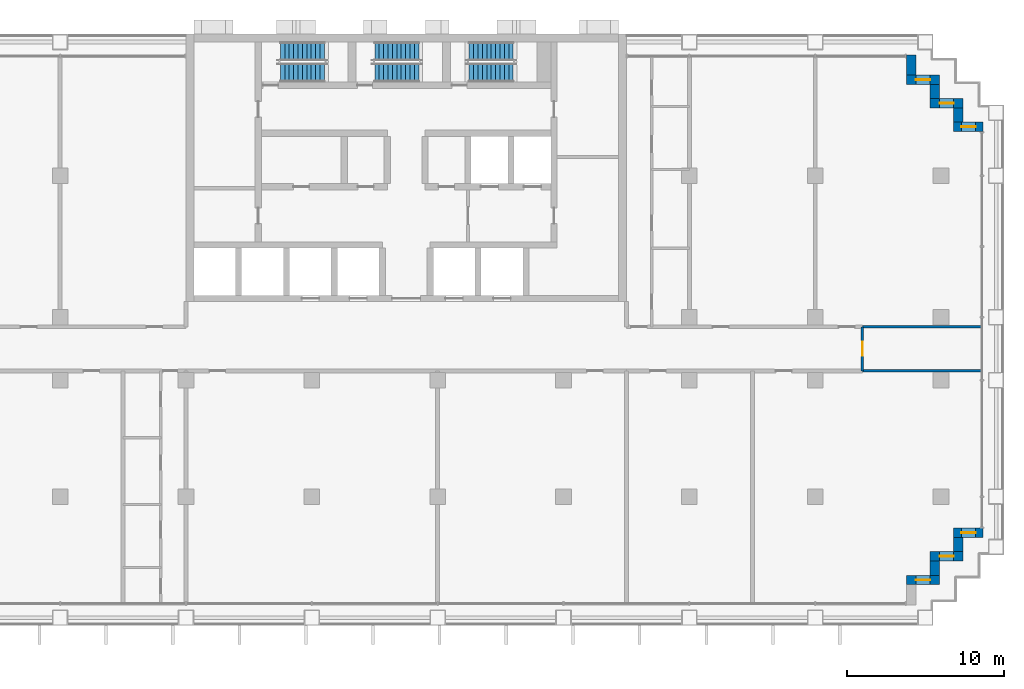
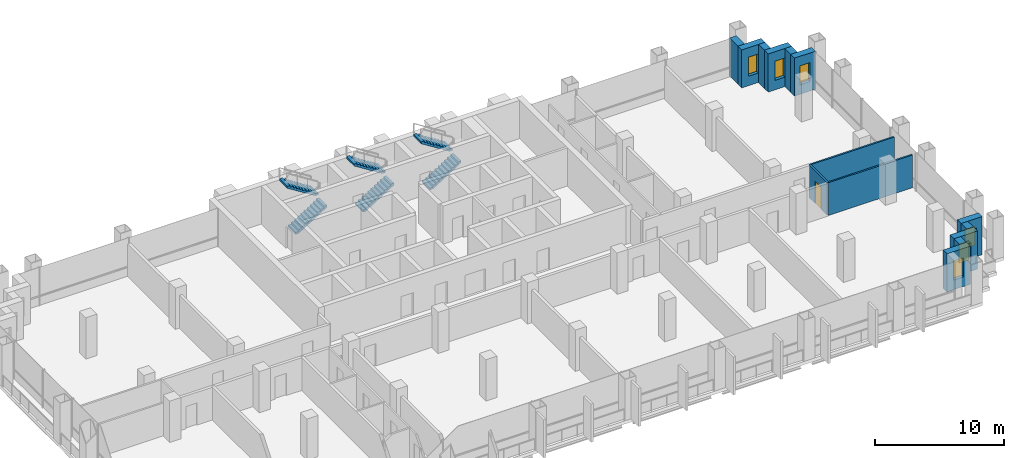
# One storey, part 10 of 13: 14 walls, 6 stair flights, 6 windows, 1 door, 7 openings, 3 elements without a shape of their own.
"""IFC4 building model written with IfcOpenShell, lengths in metres."""

from ifc_helpers import new_model, si_unit, direction, frame, frame_2d, origin, place, context, subcontext, project, spatial, polyline, rectangle, outline, extrude, material, layer, layer_set, type_object, element, fill, aggregate, save


model = new_model("IFC4")

# Units and contexts
model_context = context("Model", 3, precision=1e-05, world=origin(), true_north=direction((0.0, 1.0)))
body_context = subcontext(model_context, "Body", "Model", "MODEL_VIEW")
ifc_project = project(units=[si_unit("LENGTHUNIT", "METRE"), si_unit("AREAUNIT", "SQUARE_METRE"), si_unit("VOLUMEUNIT", "CUBIC_METRE"), si_unit("PLANEANGLEUNIT", "RADIAN"), si_unit("MASSUNIT", "GRAM", prefix="KILO")], contexts=[model_context])

# Site, building, storey
site_placement = place(None, origin())
site = spatial("IfcSite", under=ifc_project, at=site_placement, CompositionType="ELEMENT")
building_placement = place(site_placement, origin())
building = spatial("IfcBuilding", under=site, at=building_placement, Name="Vidyagriha Tower", CompositionType="ELEMENT")
storey_placement = place(building_placement, frame((0.0, 0.0, 29.89990234375)))
storey = spatial("IfcBuildingStorey", under=building, at=storey_placement, Name="L07", CompositionType="ELEMENT", Elevation=29.89990234375)

# Wall, opening, window
ifc_material_1 = material(Name="Precast concrete C40/50 with brick facing", Category="concrete")
ifc_layer_1 = layer(ifc_material_1, 0.60009765625)
ifc_layer_set_1 = layer_set([ifc_layer_1], Name="Precast concrete C40/50 with brick facing")
wall_type_1 = type_object("IfcWallType", Name="Brick-faced precast wall 600", PredefinedType="STANDARD", material=ifc_layer_set_1)
wall_1_placement = place(storey_placement, frame((36.679931640625, 14.10009765625, 0.0), z_axis=(0.0, 0.0, 1.0), x_axis=(-1.0, 0.0, 0.0)))
wall_1 = element("IfcWall", 1, at=wall_1_placement, inside=storey, type_object=wall_type_1, Name="Stepped corner wall L07 R01", PredefinedType="STANDARD", context=body_context, shape_type="SweptSolid", body=[
    extrude(rectangle(XDim=1.8798828125, YDim=0.60009765625, at=frame_2d((0.93994140625, 0.0))), origin(), (0.0, 0.0, 1.0), 3.60009765625),
])
opening_1_placement = place(wall_1_placement, frame((0.489990234375, 0.0, 0.89990234375)))
opening_1 = element("IfcOpeningElement", 2, at=opening_1_placement, cuts=wall_1, Name="Opening WN2", PredefinedType="OPENING", context=body_context, shape_type="SweptSolid", body=[
    extrude(rectangle(XDim=0.89990234375, YDim=1.800048828125, at=frame_2d((0.449951171875, 0.89990234375))), frame((0.0, 0.31005859375, 0.0), z_axis=(0.0, -1.0, 0.0), x_axis=(1.0, 0.0, 0.0)), (0.0, 0.0, 1.0), 0.6201171875),
])
ifc_material_2 = material(Name="Aluminium and glass window", Category="aluminium")
window_type = type_object("IfcWindowType", Name="Reveal window 900x1800", PartitioningType="NOTDEFINED", PredefinedType="WINDOW", material=ifc_material_2)
window_1_placement = place(opening_1_placement, origin())
window_1 = element("IfcWindow", 3, at=window_1_placement, inside=storey, type_object=window_type, Name="Reveal window L07 R01", OverallHeight=1.800048828125, OverallWidth=0.89990234375, PartitioningType="SINGLE_PANEL", PredefinedType="WINDOW", context=body_context, shape_type="SweptSolid", body=[
    extrude(rectangle(XDim=0.89990234375, YDim=1.800048828125, at=frame_2d((0.449951171875, 0.89990234375))), frame((0.0, 0.030029296875, 0.0), z_axis=(0.0, -1.0, 0.0), x_axis=(1.0, 0.0, 0.0)), (0.0, 0.0, 1.0), 0.06005859375),
])
fill(opening_1, window_1)

# Wall
wall_2_placement = place(storey_placement, frame((35.10009765625, 14.39990234375, 0.0), z_axis=(0.0, 0.0, 1.0), x_axis=(0.0, 1.0, 0.0)))
element("IfcWall", 4, at=wall_2_placement, inside=storey, type_object=wall_type_1, Name="Stepped corner wall L07 R02", PredefinedType="STANDARD", context=body_context, shape_type="SweptSolid", body=[
    extrude(rectangle(XDim=0.900146484375, YDim=0.60009765625, at=frame_2d((0.4501953125, 0.0))), origin(), (0.0, 0.0, 1.0), 3.60009765625),
])

# Wall, opening, window
wall_3_placement = place(storey_placement, frame((35.39990234375, 15.60009765625, 0.0), z_axis=(0.0, 0.0, 1.0), x_axis=(-1.0, 0.0, 0.0)))
wall_3 = element("IfcWall", 5, at=wall_3_placement, inside=storey, type_object=wall_type_1, Name="Stepped corner wall L07 R03", PredefinedType="STANDARD", context=body_context, shape_type="SweptSolid", body=[
    extrude(rectangle(XDim=2.099853515625, YDim=0.60009765625, at=frame_2d((1.0498046875, 0.0))), origin(), (0.0, 0.0, 1.0), 3.60009765625),
])
opening_2_placement = place(wall_3_placement, frame((0.60009765625, 0.0, 0.89990234375)))
opening_2 = element("IfcOpeningElement", 6, at=opening_2_placement, cuts=wall_3, Name="Opening WN2", PredefinedType="OPENING", context=body_context, shape_type="SweptSolid", body=[
    extrude(rectangle(XDim=0.89990234375, YDim=1.800048828125, at=frame_2d((0.449951171875, 0.89990234375))), frame((0.0, 0.31005859375, 0.0), z_axis=(0.0, -1.0, 0.0), x_axis=(1.0, 0.0, 0.0)), (0.0, 0.0, 1.0), 0.6201171875),
])
window_2_placement = place(opening_2_placement, origin())
window_2 = element("IfcWindow", 7, at=window_2_placement, inside=storey, type_object=window_type, Name="Reveal window L07 R03", OverallHeight=1.800048828125, OverallWidth=0.89990234375, PartitioningType="SINGLE_PANEL", PredefinedType="WINDOW", context=body_context, shape_type="SweptSolid", body=[
    extrude(rectangle(XDim=0.89990234375, YDim=1.800048828125, at=frame_2d((0.449951171875, 0.89990234375))), frame((0.0, 0.030029296875, 0.0), z_axis=(0.0, -1.0, 0.0), x_axis=(1.0, 0.0, 0.0)), (0.0, 0.0, 1.0), 0.06005859375),
])
fill(opening_2, window_2)

# Wall
wall_4_placement = place(storey_placement, frame((33.60009765625, 15.89990234375, 0.0), z_axis=(0.0, 0.0, 1.0), x_axis=(0.0, 1.0, 0.0)))
element("IfcWall", 8, at=wall_4_placement, inside=storey, type_object=wall_type_1, Name="Stepped corner wall L07 R04", PredefinedType="STANDARD", context=body_context, shape_type="SweptSolid", body=[
    extrude(rectangle(XDim=0.900146484375, YDim=0.60009765625, at=frame_2d((0.4501953125, 0.0))), origin(), (0.0, 0.0, 1.0), 3.60009765625),
])

# Wall, opening, window
wall_5_placement = place(storey_placement, frame((33.89990234375, 17.10009765625, 0.0), z_axis=(0.0, 0.0, 1.0), x_axis=(-1.0, 0.0, 0.0)))
wall_5 = element("IfcWall", 9, at=wall_5_placement, inside=storey, type_object=wall_type_1, Name="Stepped corner wall L07 R05", PredefinedType="STANDARD", context=body_context, shape_type="SweptSolid", body=[
    extrude(rectangle(XDim=2.099853515625, YDim=0.60009765625, at=frame_2d((1.0498046875, 0.0))), origin(), (0.0, 0.0, 1.0), 3.60009765625),
])
opening_3_placement = place(wall_5_placement, frame((0.60009765625, 0.0, 0.89990234375)))
opening_3 = element("IfcOpeningElement", 10, at=opening_3_placement, cuts=wall_5, Name="Opening WN2", PredefinedType="OPENING", context=body_context, shape_type="SweptSolid", body=[
    extrude(rectangle(XDim=0.89990234375, YDim=1.800048828125, at=frame_2d((0.449951171875, 0.89990234375))), frame((0.0, 0.31005859375, 0.0), z_axis=(0.0, -1.0, 0.0), x_axis=(1.0, 0.0, 0.0)), (0.0, 0.0, 1.0), 0.6201171875),
])
window_3_placement = place(opening_3_placement, origin())
window_3 = element("IfcWindow", 11, at=window_3_placement, inside=storey, type_object=window_type, Name="Reveal window L07 R05", OverallHeight=1.800048828125, OverallWidth=0.89990234375, PartitioningType="SINGLE_PANEL", PredefinedType="WINDOW", context=body_context, shape_type="SweptSolid", body=[
    extrude(rectangle(XDim=0.89990234375, YDim=1.800048828125, at=frame_2d((0.449951171875, 0.89990234375))), frame((0.0, 0.030029296875, 0.0), z_axis=(0.0, -1.0, 0.0), x_axis=(1.0, 0.0, 0.0)), (0.0, 0.0, 1.0), 0.06005859375),
])
fill(opening_3, window_3)

# Wall
wall_6_placement = place(storey_placement, frame((32.10009765625, 17.39990234375, 0.0), z_axis=(0.0, 0.0, 1.0), x_axis=(0.0, 1.0, 0.0)))
element("IfcWall", 12, at=wall_6_placement, inside=storey, type_object=wall_type_1, Name="Stepped corner wall L07 R06", PredefinedType="STANDARD", context=body_context, shape_type="SweptSolid", body=[
    extrude(rectangle(XDim=1.280029296875, YDim=0.60009765625, at=frame_2d((0.64013671875, 0.0))), origin(), (0.0, 0.0, 1.0), 3.60009765625),
])

# Wall, opening, window
wall_7_placement = place(storey_placement, frame((31.800048828125, -14.699951171875, 0.0)))
wall_7 = element("IfcWall", 13, at=wall_7_placement, inside=storey, type_object=wall_type_1, Name="Stepped corner wall L07 R25", PredefinedType="STANDARD", context=body_context, shape_type="SweptSolid", body=[
    extrude(rectangle(XDim=2.099853515625, YDim=0.60009765625, at=frame_2d((1.0498046875, 0.0))), origin(), (0.0, 0.0, 1.0), 3.60009765625),
])
opening_4_placement = place(wall_7_placement, frame((0.60009765625, 0.0, 0.89990234375)))
opening_4 = element("IfcOpeningElement", 14, at=opening_4_placement, cuts=wall_7, Name="Opening WN2", PredefinedType="OPENING", context=body_context, shape_type="SweptSolid", body=[
    extrude(rectangle(XDim=0.89990234375, YDim=1.800048828125, at=frame_2d((0.449951171875, 0.89990234375))), frame((0.0, 0.31005859375, 0.0), z_axis=(0.0, -1.0, 0.0), x_axis=(1.0, 0.0, 0.0)), (0.0, 0.0, 1.0), 0.6201171875),
])
window_4_placement = place(opening_4_placement, origin())
window_4 = element("IfcWindow", 15, at=window_4_placement, inside=storey, type_object=window_type, Name="Reveal window L07 R25", OverallHeight=1.800048828125, OverallWidth=0.89990234375, PartitioningType="SINGLE_PANEL", PredefinedType="WINDOW", context=body_context, shape_type="SweptSolid", body=[
    extrude(rectangle(XDim=0.89990234375, YDim=1.800048828125, at=frame_2d((0.449951171875, 0.89990234375))), frame((0.0, 0.030029296875, 0.0), z_axis=(0.0, -1.0, 0.0), x_axis=(1.0, 0.0, 0.0)), (0.0, 0.0, 1.0), 0.06005859375),
])
fill(opening_4, window_4)

# Wall
wall_8_placement = place(storey_placement, frame((33.60009765625, -14.39990234375, 0.0), z_axis=(0.0, 0.0, 1.0), x_axis=(0.0, 1.0, 0.0)))
element("IfcWall", 16, at=wall_8_placement, inside=storey, type_object=wall_type_1, Name="Stepped corner wall L07 R26", PredefinedType="STANDARD", context=body_context, shape_type="SweptSolid", body=[
    extrude(rectangle(XDim=0.89990234375, YDim=0.60009765625, at=frame_2d((0.449951171875, 0.0))), origin(), (0.0, 0.0, 1.0), 3.60009765625),
])

# Wall, opening, window
wall_9_placement = place(storey_placement, frame((33.300048828125, -13.199951171875, 0.0)))
wall_9 = element("IfcWall", 17, at=wall_9_placement, inside=storey, type_object=wall_type_1, Name="Stepped corner wall L07 R27", PredefinedType="STANDARD", context=body_context, shape_type="SweptSolid", body=[
    extrude(rectangle(XDim=2.099853515625, YDim=0.60009765625, at=frame_2d((1.0498046875, 0.0))), origin(), (0.0, 0.0, 1.0), 3.60009765625),
])
opening_5_placement = place(wall_9_placement, frame((0.60009765625, 0.0, 0.89990234375)))
opening_5 = element("IfcOpeningElement", 18, at=opening_5_placement, cuts=wall_9, Name="Opening WN2", PredefinedType="OPENING", context=body_context, shape_type="SweptSolid", body=[
    extrude(rectangle(XDim=0.89990234375, YDim=1.800048828125, at=frame_2d((0.449951171875, 0.89990234375))), frame((0.0, 0.31005859375, 0.0), z_axis=(0.0, -1.0, 0.0), x_axis=(1.0, 0.0, 0.0)), (0.0, 0.0, 1.0), 0.6201171875),
])
window_5_placement = place(opening_5_placement, origin())
window_5 = element("IfcWindow", 19, at=window_5_placement, inside=storey, type_object=window_type, Name="Reveal window L07 R27", OverallHeight=1.800048828125, OverallWidth=0.89990234375, PartitioningType="SINGLE_PANEL", PredefinedType="WINDOW", context=body_context, shape_type="SweptSolid", body=[
    extrude(rectangle(XDim=0.89990234375, YDim=1.800048828125, at=frame_2d((0.449951171875, 0.89990234375))), frame((0.0, 0.030029296875, 0.0), z_axis=(0.0, -1.0, 0.0), x_axis=(1.0, 0.0, 0.0)), (0.0, 0.0, 1.0), 0.06005859375),
])
fill(opening_5, window_5)

# Wall
wall_10_placement = place(storey_placement, frame((35.10009765625, -12.89990234375, 0.0), z_axis=(0.0, 0.0, 1.0), x_axis=(0.0, 1.0, 0.0)))
element("IfcWall", 20, at=wall_10_placement, inside=storey, type_object=wall_type_1, Name="Stepped corner wall L07 R28", PredefinedType="STANDARD", context=body_context, shape_type="SweptSolid", body=[
    extrude(rectangle(XDim=0.89990234375, YDim=0.60009765625, at=frame_2d((0.449951171875, 0.0))), origin(), (0.0, 0.0, 1.0), 3.60009765625),
])

# Wall, opening, window
wall_11_placement = place(storey_placement, frame((34.800048828125, -11.699951171875, 0.0)))
wall_11 = element("IfcWall", 21, at=wall_11_placement, inside=storey, type_object=wall_type_1, Name="Stepped corner wall L07 R29", PredefinedType="STANDARD", context=body_context, shape_type="SweptSolid", body=[
    extrude(rectangle(XDim=1.8798828125, YDim=0.60009765625, at=frame_2d((0.93994140625, 0.0))), origin(), (0.0, 0.0, 1.0), 3.60009765625),
])
opening_6_placement = place(wall_11_placement, frame((0.489990234375, 0.0, 0.89990234375)))
opening_6 = element("IfcOpeningElement", 22, at=opening_6_placement, cuts=wall_11, Name="Opening WN2", PredefinedType="OPENING", context=body_context, shape_type="SweptSolid", body=[
    extrude(rectangle(XDim=0.89990234375, YDim=1.800048828125, at=frame_2d((0.449951171875, 0.89990234375))), frame((0.0, 0.31005859375, 0.0), z_axis=(0.0, -1.0, 0.0), x_axis=(1.0, 0.0, 0.0)), (0.0, 0.0, 1.0), 0.6201171875),
])
window_6_placement = place(opening_6_placement, origin())
window_6 = element("IfcWindow", 23, at=window_6_placement, inside=storey, type_object=window_type, Name="Reveal window L07 R29", OverallHeight=1.800048828125, OverallWidth=0.89990234375, PartitioningType="SINGLE_PANEL", PredefinedType="WINDOW", context=body_context, shape_type="SweptSolid", body=[
    extrude(rectangle(XDim=0.89990234375, YDim=1.800048828125, at=frame_2d((0.449951171875, 0.89990234375))), frame((0.0, 0.030029296875, 0.0), z_axis=(0.0, -1.0, 0.0), x_axis=(1.0, 0.0, 0.0)), (0.0, 0.0, 1.0), 0.06005859375),
])
fill(opening_6, window_6)

# Wall
ifc_material_3 = material(Name="Gypsum board partition")
ifc_layer_2 = layer(ifc_material_3, 0.14990234375)
ifc_layer_set_2 = layer_set([ifc_layer_2], Name="Gypsum board partition")
wall_type_2 = type_object("IfcWallType", Name="Gypsum board partition 150", PredefinedType="PARTITIONING", material=ifc_layer_set_2)
wall_12_placement = place(storey_placement, frame((36.530029296875, -1.39990234375, 0.0), z_axis=(0.0, 0.0, 1.0), x_axis=(-1.0, 0.0, 0.0)))
element("IfcWall", 24, at=wall_12_placement, inside=storey, type_object=wall_type_2, Name="Wall all-L07-w025", PredefinedType="PARTITIONING", context=body_context, shape_type="SweptSolid", body=[
    extrude(rectangle(XDim=7.530029296875, YDim=0.14990234375, at=frame_2d((3.76513671875, 0.0))), origin(), (0.0, 0.0, 1.0), 3.10009765625),
])

# Wall, opening, door
wall_13_placement = place(storey_placement, frame((29.0, -1.39990234375, 0.0), z_axis=(0.0, 0.0, 1.0), x_axis=(0.0, 1.0, 0.0)))
wall_13 = element("IfcWall", 25, at=wall_13_placement, inside=storey, type_object=wall_type_2, Name="Wall all-L07-w026", PredefinedType="PARTITIONING", context=body_context, shape_type="SweptSolid", body=[
    extrude(rectangle(XDim=2.7998046875, YDim=0.14990234375, at=frame_2d((1.39990234375, 0.0))), origin(), (0.0, 0.0, 1.0), 3.10009765625),
])
opening_7_placement = place(wall_13_placement, frame((0.949951171875, 0.0, 0.0)))
opening_7 = element("IfcOpeningElement", 26, at=opening_7_placement, cuts=wall_13, Name="Opening D07-25", PredefinedType="OPENING", context=body_context, shape_type="SweptSolid", body=[
    extrude(rectangle(XDim=0.89990234375, YDim=2.10009765625, at=frame_2d((0.449951171875, 1.050048828125))), frame((0.0, 0.0849609375, 0.0), z_axis=(0.0, -1.0, 0.0), x_axis=(1.0, 0.0, 0.0)), (0.0, 0.0, 1.0), 0.169921875),
])
ifc_material_4 = material(Name="Timber door leaf", Category="wood")
door_type = type_object("IfcDoorType", Name="Room door 900x2100", OperationType="NOTDEFINED", PredefinedType="DOOR", material=ifc_material_4)
door_placement = place(opening_7_placement, origin())
door = element("IfcDoor", 27, at=door_placement, inside=storey, type_object=door_type, Name="Door D07-25", OperationType="SINGLE_SWING_RIGHT", OverallHeight=2.10009765625, OverallWidth=0.89990234375, PredefinedType="DOOR", context=body_context, shape_type="SweptSolid", body=[
    extrude(rectangle(XDim=0.89990234375, YDim=2.10009765625, at=frame_2d((0.449951171875, 1.050048828125))), frame((0.0, 0.02490234375, 0.0), z_axis=(0.0, -1.0, 0.0), x_axis=(1.0, 0.0, 0.0)), (0.0, 0.0, 1.0), 0.050048828125),
])
fill(opening_7, door)

# Wall
wall_14_placement = place(storey_placement, frame((29.0, 1.39990234375, 0.0)))
element("IfcWall", 28, at=wall_14_placement, inside=storey, type_object=wall_type_2, Name="Wall all-L07-w033", PredefinedType="PARTITIONING", context=body_context, shape_type="SweptSolid", body=[
    extrude(rectangle(XDim=7.530029296875, YDim=0.14990234375, at=frame_2d((3.76513671875, 0.0))), origin(), (0.0, 0.0, 1.0), 3.10009765625),
])

# Stair, stair flights
ifc_material_5 = material(Name="Concrete C40/50", Category="concrete")
stair_type = type_object("IfcStairType", Name="Exit stair, half-turn, precast flights", PredefinedType="HALF_TURN_STAIR", material=ifc_material_5)
stair_1_placement = place(storey_placement, origin())
stair_1 = element("IfcStair", 29, at=stair_1_placement, inside=storey, type_object=stair_type, Name="L07 Exit Stair ST1", PredefinedType="HALF_TURN_STAIR")
ifc_material_6 = material(Name="Precast concrete C40/50", Category="concrete")
stair_flight_type = type_object("IfcStairFlightType", Name="Exit stair flight 1200 mm, precast", PredefinedType="STRAIGHT", material=ifc_material_6)
stair_flight_1_placement = place(storey_placement, frame((-8.0, 17.550048828125, 0.0)))
stair_flight_1 = element("IfcStairFlight", 30, at=stair_flight_1_placement, type_object=stair_flight_type, Name="ST1 flight 1", NumberOfRisers=11, NumberOfTreads=10, PredefinedType="STRAIGHT", RiserHeight=0.177272727, TreadLength=0.28, context=body_context, shape_type="SweptSolid", body=[
    extrude(outline(polyline([(0.0, 0.0), (0.0, 0.17724609375), (0.280029296875, 0.17724609375), (0.280029296875, 0.3544921875), (0.56005859375, 0.3544921875), (0.56005859375, 0.53173828125), (0.840087890625, 0.53173828125), (0.840087890625, 0.708984375), (1.1201171875, 0.708984375), (1.1201171875, 0.886474609375), (1.39990234375, 0.886474609375), (1.39990234375, 1.063720703125), (1.679931640625, 1.063720703125), (1.679931640625, 1.240966796875), (1.9599609375, 1.240966796875), (1.9599609375, 1.418212890625), (2.239990234375, 1.418212890625), (2.239990234375, 1.595458984375), (2.52001953125, 1.595458984375), (2.52001953125, 1.772705078125), (2.800048828125, 1.772705078125), (2.800048828125, 1.949951171875), (2.800048828125, 1.59521484375), (0.2802734375, 0.0), (0.0, 0.0)])), frame((0.0, 0.60009765625, 0.0), z_axis=(0.0, -1.0, 0.0), x_axis=(1.0, 0.0, 0.0)), (0.0, 0.0, 1.0), 1.199951171875),
])
stair_flight_2_placement = place(storey_placement, frame((-5.199951171875, 18.89990234375, 1.9501953125), z_axis=(0.0, 0.0, 1.0), x_axis=(-1.0, 0.0, 0.0)))
stair_flight_2 = element("IfcStairFlight", 31, at=stair_flight_2_placement, type_object=stair_flight_type, Name="ST1 flight 2", NumberOfRisers=11, NumberOfTreads=10, PredefinedType="STRAIGHT", RiserHeight=0.177272727, TreadLength=0.28, context=body_context, shape_type="SweptSolid", body=[
    extrude(outline(polyline([(0.0, 0.0), (0.0, 0.17724609375), (0.280029296875, 0.17724609375), (0.280029296875, 0.3544921875), (0.56005859375, 0.3544921875), (0.56005859375, 0.53173828125), (0.840087890625, 0.53173828125), (0.840087890625, 0.708984375), (1.1201171875, 0.708984375), (1.1201171875, 0.886474609375), (1.39990234375, 0.886474609375), (1.39990234375, 1.063720703125), (1.679931640625, 1.063720703125), (1.679931640625, 1.240966796875), (1.9599609375, 1.240966796875), (1.9599609375, 1.418212890625), (2.239990234375, 1.418212890625), (2.239990234375, 1.595458984375), (2.52001953125, 1.595458984375), (2.52001953125, 1.772705078125), (2.800048828125, 1.772705078125), (2.800048828125, 1.949951171875), (2.800048828125, 1.59521484375), (0.2802734375, 0.0), (0.0, 0.0)])), frame((0.0, 0.60009765625, 0.0), z_axis=(0.0, -1.0, 0.0), x_axis=(1.0, 0.0, 0.0)), (0.0, 0.0, 1.0), 1.199951171875),
])
aggregate(stair_1, [stair_flight_1, stair_flight_2])

stair_2_placement = place(storey_placement, origin())
stair_2 = element("IfcStair", 32, at=stair_2_placement, inside=storey, type_object=stair_type, Name="L07 Exit Stair ST2", PredefinedType="HALF_TURN_STAIR")
stair_flight_3_placement = place(storey_placement, frame((-2.0, 17.550048828125, 0.0)))
stair_flight_3 = element("IfcStairFlight", 33, at=stair_flight_3_placement, type_object=stair_flight_type, Name="ST2 flight 1", NumberOfRisers=11, NumberOfTreads=10, PredefinedType="STRAIGHT", RiserHeight=0.177272727, TreadLength=0.28, context=body_context, shape_type="SweptSolid", body=[
    extrude(outline(polyline([(0.0, 0.0), (0.0, 0.17724609375), (0.280029296875, 0.17724609375), (0.280029296875, 0.3544921875), (0.56005859375, 0.3544921875), (0.56005859375, 0.53173828125), (0.840087890625, 0.53173828125), (0.840087890625, 0.708984375), (1.1201171875, 0.708984375), (1.1201171875, 0.886474609375), (1.39990234375, 0.886474609375), (1.39990234375, 1.063720703125), (1.679931640625, 1.063720703125), (1.679931640625, 1.240966796875), (1.9599609375, 1.240966796875), (1.9599609375, 1.418212890625), (2.239990234375, 1.418212890625), (2.239990234375, 1.595458984375), (2.52001953125, 1.595458984375), (2.52001953125, 1.772705078125), (2.800048828125, 1.772705078125), (2.800048828125, 1.949951171875), (2.800048828125, 1.59521484375), (0.2802734375, 0.0), (0.0, 0.0)])), frame((0.0, 0.60009765625, 0.0), z_axis=(0.0, -1.0, 0.0), x_axis=(1.0, 0.0, 0.0)), (0.0, 0.0, 1.0), 1.199951171875),
])
stair_flight_4_placement = place(storey_placement, frame((0.800048828125, 18.89990234375, 1.9501953125), z_axis=(0.0, 0.0, 1.0), x_axis=(-1.0, 0.0, 0.0)))
stair_flight_4 = element("IfcStairFlight", 34, at=stair_flight_4_placement, type_object=stair_flight_type, Name="ST2 flight 2", NumberOfRisers=11, NumberOfTreads=10, PredefinedType="STRAIGHT", RiserHeight=0.177272727, TreadLength=0.28, context=body_context, shape_type="SweptSolid", body=[
    extrude(outline(polyline([(0.0, 0.0), (0.0, 0.17724609375), (0.280029296875, 0.17724609375), (0.280029296875, 0.3544921875), (0.56005859375, 0.3544921875), (0.56005859375, 0.53173828125), (0.840087890625, 0.53173828125), (0.840087890625, 0.708984375), (1.1201171875, 0.708984375), (1.1201171875, 0.886474609375), (1.39990234375, 0.886474609375), (1.39990234375, 1.063720703125), (1.679931640625, 1.063720703125), (1.679931640625, 1.240966796875), (1.9599609375, 1.240966796875), (1.9599609375, 1.418212890625), (2.239990234375, 1.418212890625), (2.239990234375, 1.595458984375), (2.52001953125, 1.595458984375), (2.52001953125, 1.772705078125), (2.800048828125, 1.772705078125), (2.800048828125, 1.949951171875), (2.800048828125, 1.59521484375), (0.2802734375, 0.0), (0.0, 0.0)])), frame((0.0, 0.60009765625, 0.0), z_axis=(0.0, -1.0, 0.0), x_axis=(1.0, 0.0, 0.0)), (0.0, 0.0, 1.0), 1.199951171875),
])
aggregate(stair_2, [stair_flight_3, stair_flight_4])

stair_3_placement = place(storey_placement, origin())
stair_3 = element("IfcStair", 35, at=stair_3_placement, inside=storey, type_object=stair_type, Name="L07 Exit Stair ST3", PredefinedType="HALF_TURN_STAIR")
stair_flight_5_placement = place(storey_placement, frame((4.0, 17.550048828125, 0.0)))
stair_flight_5 = element("IfcStairFlight", 36, at=stair_flight_5_placement, type_object=stair_flight_type, Name="ST3 flight 1", NumberOfRisers=11, NumberOfTreads=10, PredefinedType="STRAIGHT", RiserHeight=0.177272727, TreadLength=0.28, context=body_context, shape_type="SweptSolid", body=[
    extrude(outline(polyline([(0.0, 0.0), (0.0, 0.17724609375), (0.280029296875, 0.17724609375), (0.280029296875, 0.3544921875), (0.56005859375, 0.3544921875), (0.56005859375, 0.53173828125), (0.840087890625, 0.53173828125), (0.840087890625, 0.708984375), (1.1201171875, 0.708984375), (1.1201171875, 0.886474609375), (1.39990234375, 0.886474609375), (1.39990234375, 1.063720703125), (1.679931640625, 1.063720703125), (1.679931640625, 1.240966796875), (1.9599609375, 1.240966796875), (1.9599609375, 1.418212890625), (2.239990234375, 1.418212890625), (2.239990234375, 1.595458984375), (2.52001953125, 1.595458984375), (2.52001953125, 1.772705078125), (2.800048828125, 1.772705078125), (2.800048828125, 1.949951171875), (2.800048828125, 1.59521484375), (0.2802734375, 0.0), (0.0, 0.0)])), frame((0.0, 0.60009765625, 0.0), z_axis=(0.0, -1.0, 0.0), x_axis=(1.0, 0.0, 0.0)), (0.0, 0.0, 1.0), 1.199951171875),
])
stair_flight_6_placement = place(storey_placement, frame((6.800048828125, 18.89990234375, 1.9501953125), z_axis=(0.0, 0.0, 1.0), x_axis=(-1.0, 0.0, 0.0)))
stair_flight_6 = element("IfcStairFlight", 37, at=stair_flight_6_placement, type_object=stair_flight_type, Name="ST3 flight 2", NumberOfRisers=11, NumberOfTreads=10, PredefinedType="STRAIGHT", RiserHeight=0.177272727, TreadLength=0.28, context=body_context, shape_type="SweptSolid", body=[
    extrude(outline(polyline([(0.0, 0.0), (0.0, 0.17724609375), (0.280029296875, 0.17724609375), (0.280029296875, 0.3544921875), (0.56005859375, 0.3544921875), (0.56005859375, 0.53173828125), (0.840087890625, 0.53173828125), (0.840087890625, 0.708984375), (1.1201171875, 0.708984375), (1.1201171875, 0.886474609375), (1.39990234375, 0.886474609375), (1.39990234375, 1.063720703125), (1.679931640625, 1.063720703125), (1.679931640625, 1.240966796875), (1.9599609375, 1.240966796875), (1.9599609375, 1.418212890625), (2.239990234375, 1.418212890625), (2.239990234375, 1.595458984375), (2.52001953125, 1.595458984375), (2.52001953125, 1.772705078125), (2.800048828125, 1.772705078125), (2.800048828125, 1.949951171875), (2.800048828125, 1.59521484375), (0.2802734375, 0.0), (0.0, 0.0)])), frame((0.0, 0.60009765625, 0.0), z_axis=(0.0, -1.0, 0.0), x_axis=(1.0, 0.0, 0.0)), (0.0, 0.0, 1.0), 1.199951171875),
])
aggregate(stair_3, [stair_flight_5, stair_flight_6])

save(model, "model.ifc")
